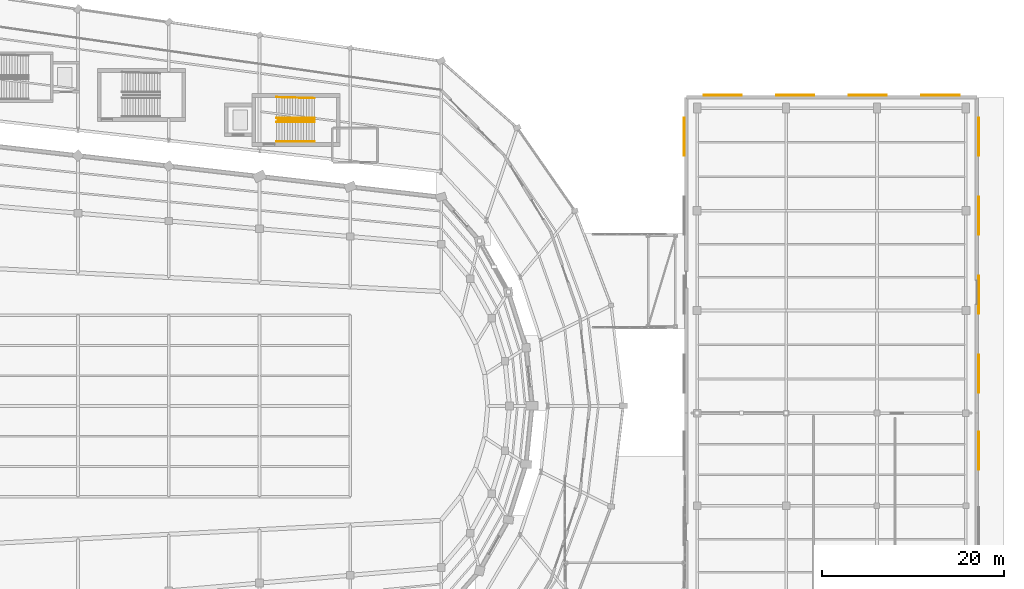
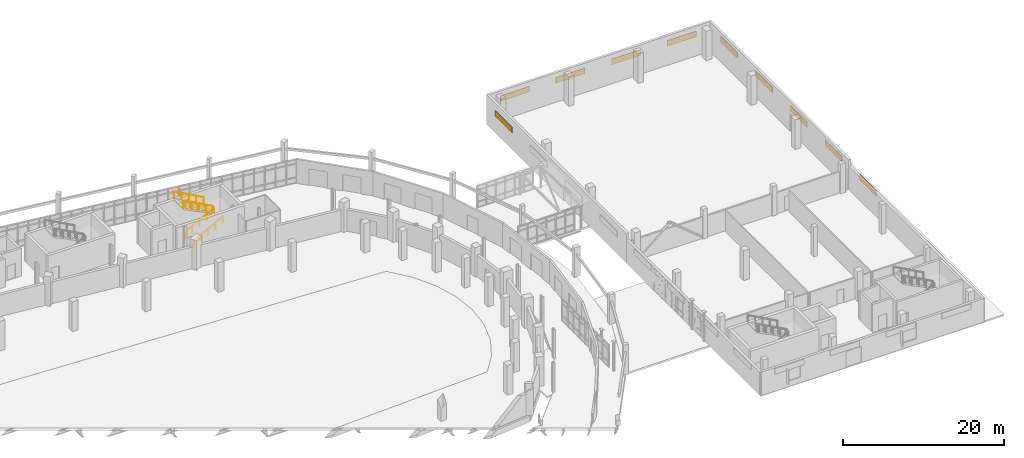
# One storey, part 121 of 122: 10 coverings, 5 railings.
"""IFC4 building model written with IfcOpenShell, lengths in metres."""

from ifc_helpers import new_model, si_unit, direction, frame, origin, origin_2d, place, context, subcontext, project, spatial, rectangle, circle, extrude, material, layer, layer_set, type_object, element, save


model = new_model("IFC4")

# Units and contexts
model_context = context("Model", 3, precision=1e-05, world=origin(), true_north=direction((0.0, 1.0)))
body_context = subcontext(model_context, "Body", "Model", "MODEL_VIEW")
ifc_project = project(units=[si_unit("LENGTHUNIT", "METRE"), si_unit("AREAUNIT", "SQUARE_METRE"), si_unit("VOLUMEUNIT", "CUBIC_METRE"), si_unit("PLANEANGLEUNIT", "RADIAN"), si_unit("MASSUNIT", "GRAM", prefix="KILO")], contexts=[model_context])

# Site, building, storey
site_placement = place(None, origin())
site = spatial("IfcSite", under=ifc_project, at=site_placement, CompositionType="ELEMENT")
building_placement = place(site_placement, origin())
building = spatial("IfcBuilding", under=site, at=building_placement, Name="Sohan Crest Arena", CompositionType="ELEMENT")
storey_placement = place(building_placement, origin())
storey = spatial("IfcBuildingStorey", under=building, at=storey_placement, Name="L00", CompositionType="ELEMENT", Elevation=0.0)

# Railings
ifc_material_1 = material(Name="Powder-coated wrought steel balustrade", Category="steel")
railing_type_1 = type_object("IfcRailingType", Name="ARC-GRD-01", PredefinedType="GUARDRAIL", material=ifc_material_1)
railing_1_placement = place(storey_placement, frame((154.030029296875, 109.5, 2.25)))
element("IfcRailing", 1, at=railing_1_placement, inside=storey, type_object=railing_type_1, Name="Stair well slot guard GRD-056", PredefinedType="GUARDRAIL", context=body_context, shape_type="SweptSolid", body=[
    extrude(circle(Radius=0.02392578125, at=origin_2d()), frame((0.0, 0.0, 1.076171875), z_axis=(-0.87313487534, 0.0, 0.487478706678), x_axis=(0.0, -1.0, 0.0)), (0.0, 0.0, 1.0), 4.615478515625),
    extrude(circle(Radius=0.02099609375, at=origin_2d()), origin(), (0.0, 0.0, 1.0), 1.052001953125),
    extrude(circle(Radius=0.02099609375, at=origin_2d()), frame((-1.007568359375, 0.0, 0.5625)), (0.0, 0.0, 1.0), 1.052001953125),
    extrude(circle(Radius=0.02099609375, at=origin_2d()), frame((-2.01513671875, 0.0, 1.125)), (0.0, 0.0, 1.0), 1.052001953125),
    extrude(circle(Radius=0.02099609375, at=origin_2d()), frame((-3.0224609375, 0.0, 1.6875)), (0.0, 0.0, 1.0), 1.052001953125),
    extrude(circle(Radius=0.02099609375, at=origin_2d()), frame((-4.030029296875, 0.0, 2.25)), (0.0, 0.0, 1.0), 1.052001953125),
])
ifc_material_2 = material(Name="Brushed stainless steel stair handrail", Category="steel")
railing_type_2 = type_object("IfcRailingType", Name="ARC-HR-01", PredefinedType="HANDRAIL", material=ifc_material_2)
for number, where, name in (
    (2, (149.85009765625, 107.110107421875, 0.0), "Stair pitch handrail HR-185"),
    (3, (149.85009765625, 109.2900390625, 0.0), "Stair pitch handrail HR-186"),
):
    element("IfcRailing", number, at=place(storey_placement, frame(where)), inside=storey, type_object=railing_type_2, Name=name, PredefinedType="HANDRAIL", context=body_context, shape_type="SweptSolid", body=[
        extrude(circle(Radius=0.02392578125, at=origin_2d()), frame((0.0, 0.0, 0.97607421875), z_axis=(0.881477684796, 0.0, 0.472225678258), x_axis=(0.0, 1.0, 0.0)), (0.0, 0.0, 1.0), 4.7646484375),
        extrude(circle(Radius=0.02099609375, at=origin_2d()), origin(), (0.0, 0.0, 1.0), 0.951904296875),
        extrude(circle(Radius=0.02099609375, at=origin_2d()), frame((1.050048828125, 0.0, 0.5625)), (0.0, 0.0, 1.0), 0.951904296875),
        extrude(circle(Radius=0.02099609375, at=origin_2d()), frame((2.10009765625, 0.0, 1.125)), (0.0, 0.0, 1.0), 0.951904296875),
        extrude(circle(Radius=0.02099609375, at=origin_2d()), frame((3.14990234375, 0.0, 1.6875)), (0.0, 0.0, 1.0), 0.951904296875),
        extrude(circle(Radius=0.02099609375, at=origin_2d()), frame((4.199951171875, 0.0, 2.25)), (0.0, 0.0, 1.0), 0.951904296875),
    ])
railing_2_placement = place(storey_placement, frame((154.050048828125, 109.7099609375, 2.25)))
element("IfcRailing", 4, at=railing_2_placement, inside=storey, type_object=railing_type_2, Name="Stair pitch handrail HR-187", PredefinedType="HANDRAIL", context=body_context, shape_type="SweptSolid", body=[
    extrude(circle(Radius=0.02392578125, at=origin_2d()), frame((0.0, 0.0, 0.97607421875), z_axis=(-0.881477684796, 0.0, 0.472225678258), x_axis=(0.0, -1.0, 0.0)), (0.0, 0.0, 1.0), 4.7646484375),
    extrude(circle(Radius=0.02099609375, at=origin_2d()), origin(), (0.0, 0.0, 1.0), 0.951904296875),
    extrude(circle(Radius=0.02099609375, at=origin_2d()), frame((-1.050048828125, 0.0, 0.5625)), (0.0, 0.0, 1.0), 0.951904296875),
    extrude(circle(Radius=0.02099609375, at=origin_2d()), frame((-2.10009765625, 0.0, 1.125)), (0.0, 0.0, 1.0), 0.951904296875),
    extrude(circle(Radius=0.02099609375, at=origin_2d()), frame((-3.14990234375, 0.0, 1.6875)), (0.0, 0.0, 1.0), 0.951904296875),
    extrude(circle(Radius=0.02099609375, at=origin_2d()), frame((-4.199951171875, 0.0, 2.25)), (0.0, 0.0, 1.0), 0.951904296875),
])
railing_3_placement = place(storey_placement, frame((154.050048828125, 111.889892578125, 2.25)))
element("IfcRailing", 5, at=railing_3_placement, inside=storey, type_object=railing_type_2, Name="Stair pitch handrail HR-188", PredefinedType="HANDRAIL", context=body_context, shape_type="SweptSolid", body=[
    extrude(circle(Radius=0.02392578125, at=origin_2d()), frame((0.0, 0.0, 0.97607421875), z_axis=(-0.881197710057, 0.025201957411, 0.472075690047), x_axis=(-0.028587973606, -0.999591280357, 0.0)), (0.0, 0.0, 1.0), 4.76611328125),
    extrude(circle(Radius=0.02099609375, at=origin_2d()), origin(), (0.0, 0.0, 1.0), 0.951904296875),
    extrude(circle(Radius=0.02099609375, at=origin_2d()), frame((-1.050048828125, 0.030029296875, 0.5625)), (0.0, 0.0, 1.0), 0.951904296875),
    extrude(circle(Radius=0.02099609375, at=origin_2d()), frame((-2.10009765625, 0.06005859375, 1.125)), (0.0, 0.0, 1.0), 0.951904296875),
    extrude(circle(Radius=0.02099609375, at=origin_2d()), frame((-3.14990234375, 0.090087890625, 1.6875)), (0.0, 0.0, 1.0), 0.951904296875),
    extrude(circle(Radius=0.02099609375, at=origin_2d()), frame((-4.199951171875, 0.1201171875, 2.25)), (0.0, 0.0, 1.0), 0.951904296875),
])

# Coverings
ifc_material_3 = material(Name="Honed dark basalt stone cladding", Category="masonry")
ifc_layer = layer(ifc_material_3, 0.0849609375, Name="Honed dark basalt stone cladding")
ifc_layer_set = layer_set([ifc_layer], Name="Honed dark basalt stone cladding")
covering_type = type_object("IfcCoveringType", Name="COV-BAS", PredefinedType="CLADDING", material=ifc_layer_set)
for number, where, z_axis, x_axis, name in (
    (6, (227.20703125, 73.050048828125, 2.625), (0.0, 0.0, 1.0), (0.0, 1.0, 0.0), "Dark basalt facade panel DB-0772"),
    (7, (227.20703125, 81.550048828125, 2.625), (0.0, 0.0, 1.0), (0.0, 1.0, 0.0), "Dark basalt facade panel DB-0773"),
    (8, (227.20703125, 90.25, 2.625), (0.0, 0.0, 1.0), (0.0, 1.0, 0.0), "Dark basalt facade panel DB-0774"),
    (9, (227.20703125, 98.949951171875, 2.625), (0.0, 0.0, 1.0), (0.0, 1.0, 0.0), "Dark basalt facade panel DB-0775"),
    (10, (227.20703125, 107.64990234375, 2.625), (0.0, 0.0, 1.0), (0.0, 1.0, 0.0), "Dark basalt facade panel DB-0776"),
    (11, (223.0, 112.20703125, 2.625), (0.0, 0.0, 1.0), (-1.0, 0.0, 0.0), "Dark basalt facade panel DB-0777"),
    (12, (215.0, 112.20703125, 2.625), (0.0, 0.0, 1.0), (-1.0, 0.0, 0.0), "Dark basalt facade panel DB-0778"),
    (13, (207.0, 112.20703125, 2.625), (0.0, 0.0, 1.0), (-1.0, 0.0, 0.0), "Dark basalt facade panel DB-0779"),
    (14, (199.0, 112.20703125, 2.625), (0.0, 0.0, 1.0), (-1.0, 0.0, 0.0), "Dark basalt facade panel DB-0780"),
    (15, (194.79296875, 107.64990234375, 2.625), (0.0, 0.0, 1.0), (0.0, -1.0, 0.0), "Dark basalt facade panel DB-0781"),
):
    element("IfcCovering", number, at=place(storey_placement, frame(where, z_axis=z_axis, x_axis=x_axis)), inside=storey, type_object=covering_type, Name=name, PredefinedType="CLADDING", context=body_context, shape_type="SweptSolid", body=[
        extrude(rectangle(XDim=4.199951171875, YDim=0.0849609375, at=origin_2d()), origin(), (0.0, 0.0, 1.0), 0.85009765625),
    ])

save(model, "model.ifc")
